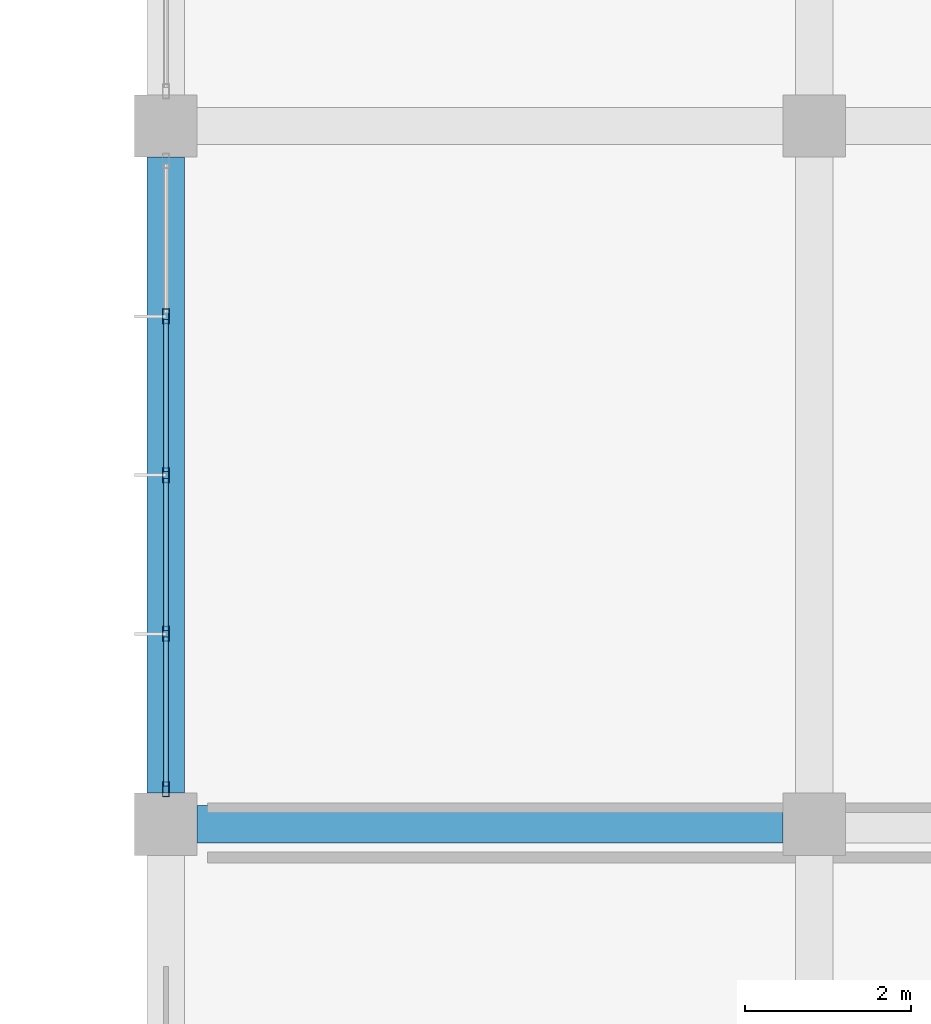
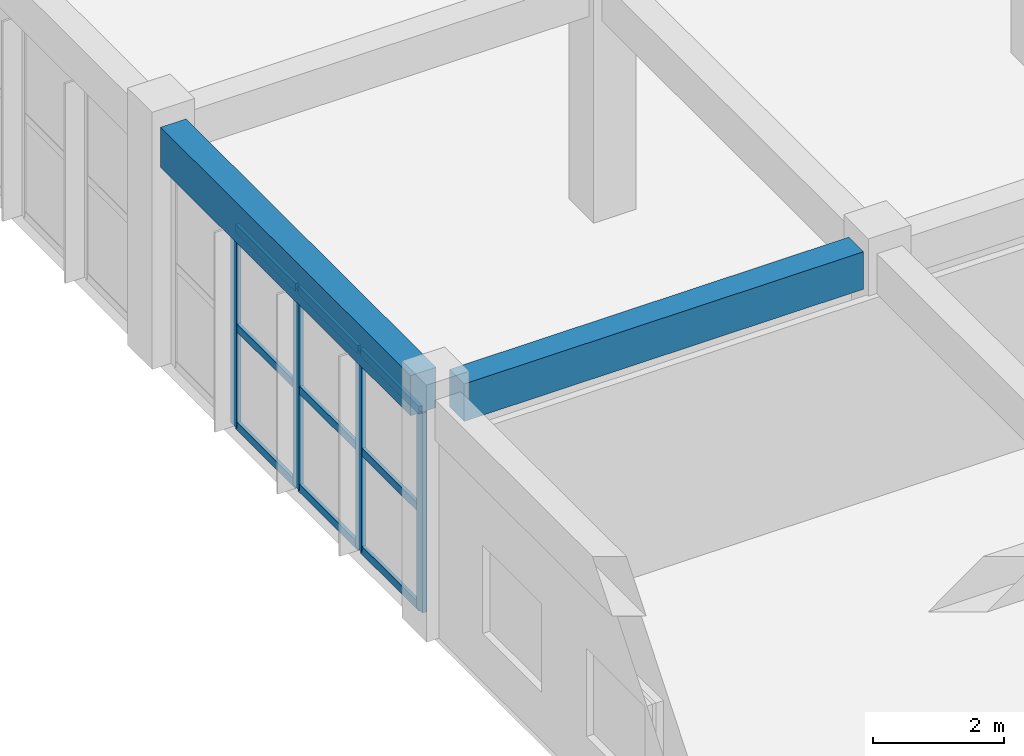
# One storey, part 8 of 167: 13 members, 2 beams, 1 element without a shape of its own.
"""IFC4 building model written with IfcOpenShell, lengths in metres."""

from ifc_helpers import new_model, si_unit, direction, frame, origin, origin_2d, place, context, subcontext, project, spatial, rectangle, hollow_rectangle, extrude, material, layer, layer_set, material_profile, profile_set, type_object, element, aggregate, save


model = new_model("IFC4")

# Units and contexts
model_context = context("Model", 3, precision=1e-05, world=origin(), true_north=direction((0.0, 1.0)))
body_context = subcontext(model_context, "Body", "Model", "MODEL_VIEW")
ifc_project = project(units=[si_unit("LENGTHUNIT", "METRE"), si_unit("AREAUNIT", "SQUARE_METRE"), si_unit("VOLUMEUNIT", "CUBIC_METRE"), si_unit("PLANEANGLEUNIT", "RADIAN"), si_unit("MASSUNIT", "GRAM", prefix="KILO")], contexts=[model_context])

# Site, building, storey
site_placement = place(None, origin())
site = spatial("IfcSite", under=ifc_project, at=site_placement, CompositionType="ELEMENT")
building_placement = place(site_placement, origin())
building = spatial("IfcBuilding", under=site, at=building_placement, Name="Zizhar Promenade General Hospital", CompositionType="ELEMENT")
storey_placement = place(building_placement, frame((0.0, 0.0, 9.60009765625)))
storey = spatial("IfcBuildingStorey", under=building, at=storey_placement, Name="L02", CompositionType="ELEMENT", Elevation=9.60009765625)

# Beams
ifc_material_1 = material(Name="Concrete C35/45", Category="concrete")
ifc_material_profile_1 = material_profile(ifc_material_1, rectangle(XDim=0.449951171875, YDim=0.699951171875, at=origin_2d()))
ifc_profile_set_1 = profile_set([ifc_material_profile_1], Name="Concrete C35/45")
beam_type_1 = type_object("IfcBeamType", Name="BM-RC-450x700", PredefinedType="BEAM", material=ifc_profile_set_1)
beam_1_placement = place(storey_placement, frame((0.375, 25.199951171875, 4.119873046875), z_axis=(1.0, 0.0, 0.0), x_axis=(0.0, 1.0, 0.0)))
element("IfcBeam", 1, at=beam_1_placement, inside=storey, type_object=beam_type_1, Name="Grid Beam X L02 (0-3)", PredefinedType="BEAM", context=body_context, shape_type="SweptSolid", body=[
    extrude(rectangle(XDim=0.449951171875, YDim=0.699951171875, at=origin_2d()), origin(), (0.0, 0.0, 1.0), 7.050048828125),
])
ifc_material_2 = material(Name="Concrete C35/45", Category="concrete")
ifc_material_profile_2 = material_profile(ifc_material_2, rectangle(XDim=0.449951171875, YDim=0.75, at=origin_2d()))
ifc_profile_set_2 = profile_set([ifc_material_profile_2], Name="Concrete C35/45")
beam_type_2 = type_object("IfcBeamType", Name="BM-RC-450x750", PredefinedType="BEAM", material=ifc_profile_set_2)
beam_2_placement = place(storey_placement, frame((0.0, 25.574951171875, 4.094970703125), z_axis=(0.0, 1.0, 0.0), x_axis=(-1.0, 0.0, 0.0)))
element("IfcBeam", 2, at=beam_2_placement, inside=storey, type_object=beam_type_2, Name="Grid Beam Y L02 (0-3)", PredefinedType="BEAM", context=body_context, shape_type="SweptSolid", body=[
    extrude(rectangle(XDim=0.449951171875, YDim=0.75, at=origin_2d()), origin(), (0.0, 0.0, 1.0), 7.650146484375),
])

# Curtain wall, members
ifc_material_3 = material(Name="Anodised aluminium 6063-T6 and low-E glass", Category="aluminium")
ifc_layer = layer(ifc_material_3, 0.159912109375)
ifc_layer_set = layer_set([ifc_layer], Name="Anodised aluminium 6063-T6 and low-E glass")
curtain_wall_type = type_object("IfcCurtainWallType", Name="CW-ED-FRONT", PredefinedType="NOTDEFINED", material=ifc_layer_set)
curtain_wall_placement = place(storey_placement, origin())
curtain_wall = element("IfcCurtainWall", 3, at=curtain_wall_placement, inside=storey, type_object=curtain_wall_type, Name="West Diagnostic Arm Glazed Curtain Wall L02-W3", PredefinedType="NOTDEFINED")
ifc_material_4 = material(Name="Anodised aluminium 6063-T6", Category="aluminium")
ifc_material_profile_3 = material_profile(ifc_material_4, hollow_rectangle(XDim=0.080078125, YDim=0.179931640625, WallThickness=0.0048828125, at=origin_2d()))
ifc_profile_set_3 = profile_set([ifc_material_profile_3], Name="Anodised aluminium 6063-T6")
member_type_1 = type_object("IfcMemberType", Name="CWM-ALU-180x80", PredefinedType="MULLION", material=ifc_profile_set_3)
member_1_placement = place(storey_placement, frame((0.0, 25.6201171875, 0.0), z_axis=(0.0, 0.0, 1.0), x_axis=(-1.0, 0.0, 0.0)))
member_1 = element("IfcMember", 4, at=member_1_placement, type_object=member_type_1, Name="CW-06 mullion 1", PredefinedType="MULLION", context=body_context, shape_type="SweptSolid", body=[
    extrude(hollow_rectangle(XDim=0.080078125, YDim=0.179931640625, WallThickness=0.0048828125, at=origin_2d()), origin(), (0.0, 0.0, 1.0), 3.72998046875),
])
member_2_placement = place(storey_placement, frame((0.0, 27.489990234375, 0.0), z_axis=(0.0, 0.0, 1.0), x_axis=(-1.0, 0.0, 0.0)))
member_2 = element("IfcMember", 5, at=member_2_placement, type_object=member_type_1, Name="CW-06 mullion 2", PredefinedType="MULLION", context=body_context, shape_type="SweptSolid", body=[
    extrude(hollow_rectangle(XDim=0.080078125, YDim=0.179931640625, WallThickness=0.0048828125, at=origin_2d()), origin(), (0.0, 0.0, 1.0), 3.72998046875),
])
member_3_placement = place(storey_placement, frame((0.0, 29.39990234375, 0.0), z_axis=(0.0, 0.0, 1.0), x_axis=(-1.0, 0.0, 0.0)))
member_3 = element("IfcMember", 6, at=member_3_placement, type_object=member_type_1, Name="CW-06 mullion 3", PredefinedType="MULLION", context=body_context, shape_type="SweptSolid", body=[
    extrude(hollow_rectangle(XDim=0.080078125, YDim=0.179931640625, WallThickness=0.0048828125, at=origin_2d()), origin(), (0.0, 0.0, 1.0), 3.72998046875),
])
member_4_placement = place(storey_placement, frame((0.0, 31.31005859375, 0.0), z_axis=(0.0, 0.0, 1.0), x_axis=(-1.0, 0.0, 0.0)))
member_4 = element("IfcMember", 7, at=member_4_placement, type_object=member_type_1, Name="CW-06 mullion 4", PredefinedType="MULLION", context=body_context, shape_type="SweptSolid", body=[
    extrude(hollow_rectangle(XDim=0.080078125, YDim=0.179931640625, WallThickness=0.0048828125, at=origin_2d()), origin(), (0.0, 0.0, 1.0), 3.72998046875),
])
ifc_material_5 = material(Name="Anodised aluminium 6063-T6", Category="aluminium")
ifc_material_profile_4 = material_profile(ifc_material_5, hollow_rectangle(XDim=0.06005859375, YDim=0.14990234375, WallThickness=0.00390625, at=origin_2d()))
ifc_profile_set_4 = profile_set([ifc_material_profile_4], Name="Anodised aluminium 6063-T6")
member_type_2 = type_object("IfcMemberType", Name="CWT-ALU-150x60", PredefinedType="USERDEFINED", material=ifc_profile_set_4)
member_5_placement = place(storey_placement, frame((0.0, 25.659912109375, 0.02978515625), z_axis=(0.0, 1.0, 0.0), x_axis=(-1.0, 0.0, 0.0)))
member_5 = element("IfcMember", 8, at=member_5_placement, type_object=member_type_2, Name="CW-06 transom 1.1", ObjectType="TRANSOM", PredefinedType="USERDEFINED", context=body_context, shape_type="SweptSolid", body=[
    extrude(hollow_rectangle(XDim=0.06005859375, YDim=0.14990234375, WallThickness=0.00390625, at=origin_2d()), origin(), (0.0, 0.0, 1.0), 1.7900390625),
])
member_6_placement = place(storey_placement, frame((0.0, 25.659912109375, 1.864990234375), z_axis=(0.0, 1.0, 0.0), x_axis=(-1.0, 0.0, 0.0)))
member_6 = element("IfcMember", 9, at=member_6_placement, type_object=member_type_2, Name="CW-06 transom 1.2", ObjectType="TRANSOM", PredefinedType="USERDEFINED", context=body_context, shape_type="SweptSolid", body=[
    extrude(hollow_rectangle(XDim=0.06005859375, YDim=0.14990234375, WallThickness=0.00390625, at=origin_2d()), origin(), (0.0, 0.0, 1.0), 1.7900390625),
])
member_7_placement = place(storey_placement, frame((0.0, 25.659912109375, 3.699951171875), z_axis=(0.0, 1.0, 0.0), x_axis=(-1.0, 0.0, 0.0)))
member_7 = element("IfcMember", 10, at=member_7_placement, type_object=member_type_2, Name="CW-06 transom 1.3", ObjectType="TRANSOM", PredefinedType="USERDEFINED", context=body_context, shape_type="SweptSolid", body=[
    extrude(hollow_rectangle(XDim=0.06005859375, YDim=0.14990234375, WallThickness=0.00390625, at=origin_2d()), origin(), (0.0, 0.0, 1.0), 1.7900390625),
])
member_8_placement = place(storey_placement, frame((0.0, 27.530029296875, 0.02978515625), z_axis=(0.0, 1.0, 0.0), x_axis=(-1.0, 0.0, 0.0)))
member_8 = element("IfcMember", 11, at=member_8_placement, type_object=member_type_2, Name="CW-06 transom 2.1", ObjectType="TRANSOM", PredefinedType="USERDEFINED", context=body_context, shape_type="SweptSolid", body=[
    extrude(hollow_rectangle(XDim=0.06005859375, YDim=0.14990234375, WallThickness=0.00390625, at=origin_2d()), origin(), (0.0, 0.0, 1.0), 1.830078125),
])
member_9_placement = place(storey_placement, frame((0.0, 27.530029296875, 1.864990234375), z_axis=(0.0, 1.0, 0.0), x_axis=(-1.0, 0.0, 0.0)))
member_9 = element("IfcMember", 12, at=member_9_placement, type_object=member_type_2, Name="CW-06 transom 2.2", ObjectType="TRANSOM", PredefinedType="USERDEFINED", context=body_context, shape_type="SweptSolid", body=[
    extrude(hollow_rectangle(XDim=0.06005859375, YDim=0.14990234375, WallThickness=0.00390625, at=origin_2d()), origin(), (0.0, 0.0, 1.0), 1.830078125),
])
member_10_placement = place(storey_placement, frame((0.0, 27.530029296875, 3.699951171875), z_axis=(0.0, 1.0, 0.0), x_axis=(-1.0, 0.0, 0.0)))
member_10 = element("IfcMember", 13, at=member_10_placement, type_object=member_type_2, Name="CW-06 transom 2.3", ObjectType="TRANSOM", PredefinedType="USERDEFINED", context=body_context, shape_type="SweptSolid", body=[
    extrude(hollow_rectangle(XDim=0.06005859375, YDim=0.14990234375, WallThickness=0.00390625, at=origin_2d()), origin(), (0.0, 0.0, 1.0), 1.830078125),
])
member_11_placement = place(storey_placement, frame((0.0, 29.43994140625, 0.02978515625), z_axis=(0.0, 1.0, 0.0), x_axis=(-1.0, 0.0, 0.0)))
member_11 = element("IfcMember", 14, at=member_11_placement, type_object=member_type_2, Name="CW-06 transom 3.1", ObjectType="TRANSOM", PredefinedType="USERDEFINED", context=body_context, shape_type="SweptSolid", body=[
    extrude(hollow_rectangle(XDim=0.06005859375, YDim=0.14990234375, WallThickness=0.00390625, at=origin_2d()), origin(), (0.0, 0.0, 1.0), 1.830078125),
])
member_12_placement = place(storey_placement, frame((0.0, 29.43994140625, 1.864990234375), z_axis=(0.0, 1.0, 0.0), x_axis=(-1.0, 0.0, 0.0)))
member_12 = element("IfcMember", 15, at=member_12_placement, type_object=member_type_2, Name="CW-06 transom 3.2", ObjectType="TRANSOM", PredefinedType="USERDEFINED", context=body_context, shape_type="SweptSolid", body=[
    extrude(hollow_rectangle(XDim=0.06005859375, YDim=0.14990234375, WallThickness=0.00390625, at=origin_2d()), origin(), (0.0, 0.0, 1.0), 1.830078125),
])
member_13_placement = place(storey_placement, frame((0.0, 29.43994140625, 3.699951171875), z_axis=(0.0, 1.0, 0.0), x_axis=(-1.0, 0.0, 0.0)))
member_13 = element("IfcMember", 16, at=member_13_placement, type_object=member_type_2, Name="CW-06 transom 3.3", ObjectType="TRANSOM", PredefinedType="USERDEFINED", context=body_context, shape_type="SweptSolid", body=[
    extrude(hollow_rectangle(XDim=0.06005859375, YDim=0.14990234375, WallThickness=0.00390625, at=origin_2d()), origin(), (0.0, 0.0, 1.0), 1.830078125),
])
aggregate(curtain_wall, [member_1, member_2, member_3, member_4, member_5, member_6, member_7, member_8, member_9, member_10, member_11, member_12, member_13])

save(model, "model.ifc")
